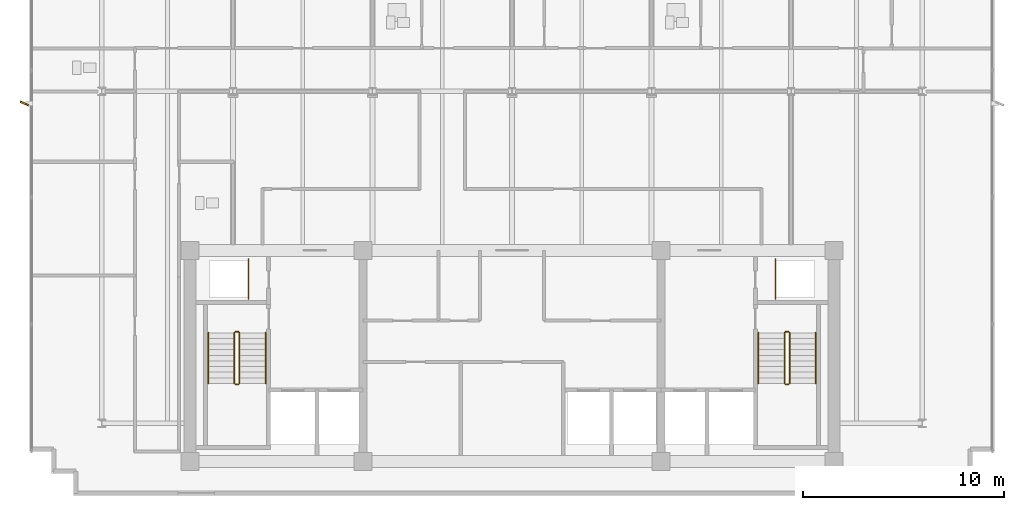
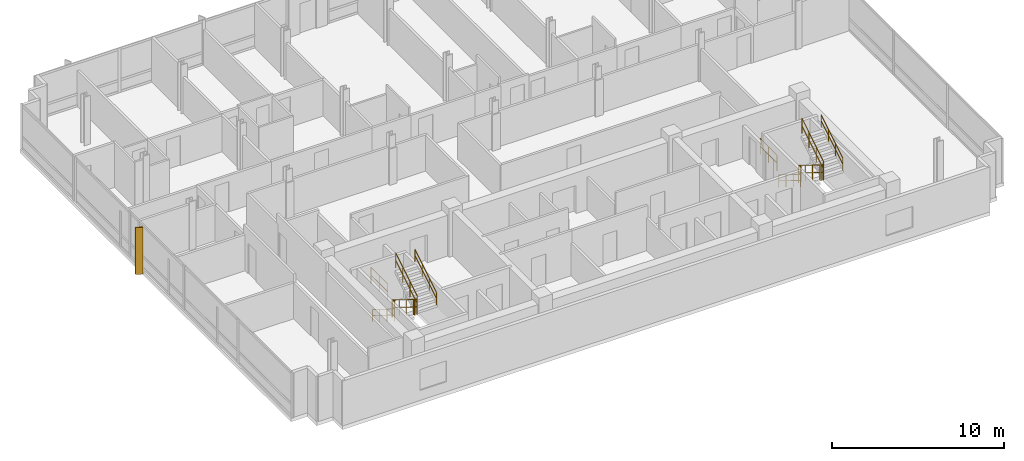
# One storey, part 12 of 14: 14 railings, 1 shading device.
"""IFC4 building model written with IfcOpenShell, lengths in metres."""

from ifc_helpers import new_model, si_unit, direction, frame, origin, origin_2d, place, context, subcontext, project, spatial, rectangle, circle, extrude, material, layer, layer_set, type_object, element, save


model = new_model("IFC4")

# Units and contexts
model_context = context("Model", 3, precision=1e-05, world=origin(), true_north=direction((0.0, 1.0)))
body_context = subcontext(model_context, "Body", "Model", "MODEL_VIEW")
ifc_project = project(units=[si_unit("LENGTHUNIT", "METRE"), si_unit("AREAUNIT", "SQUARE_METRE"), si_unit("VOLUMEUNIT", "CUBIC_METRE"), si_unit("PLANEANGLEUNIT", "RADIAN"), si_unit("MASSUNIT", "GRAM", prefix="KILO")], contexts=[model_context])

# Site, building, storey
site_placement = place(None, origin())
site = spatial("IfcSite", under=ifc_project, at=site_placement, CompositionType="ELEMENT")
building_placement = place(site_placement, origin())
building = spatial("IfcBuilding", under=site, at=building_placement, Name="Solmavex Isthmus Hotel", CompositionType="ELEMENT")
storey_placement = place(building_placement, frame((0.0, 0.0, 255.75)))
storey = spatial("IfcBuildingStorey", under=building, at=storey_placement, Name="L69", CompositionType="ELEMENT", Elevation=255.75)

# Railings
ifc_material_1 = material(Name="Clear low-E laminated glass", Category="glass")
ifc_layer_1 = layer(ifc_material_1, 0.080078125)
ifc_layer_set_1 = layer_set([ifc_layer_1], Name="Clear low-E laminated glass")
railing_type_1 = type_object("IfcRailingType", Name="RAIL-ATRIUM-1120", PredefinedType="BALUSTRADE", material=ifc_layer_set_1)
for number, where, name in (
    (1, (-13.10009765625, -4.89990234375, 0.0), "Guardrail Balustrade L69-RSW-01"),
    (2, (13.10009765625, -4.89990234375, 0.0), "Guardrail Balustrade L69-RSE-01"),
):
    element("IfcRailing", number, at=place(storey_placement, frame(where)), inside=storey, type_object=railing_type_1, Name=name, PredefinedType="BALUSTRADE", context=body_context, shape_type="SweptSolid", body=[
        extrude(circle(Radius=0.02392578125, at=origin_2d()), frame((0.0, 0.0, 1.1259765625), z_axis=(0.0, 1.0, 0.0), x_axis=(-1.0, 0.0, 0.0)), (0.0, 0.0, 1.0), 1.949951171875),
        extrude(circle(Radius=0.02392578125, at=origin_2d()), frame((0.0, 0.0, 0.574951171875), z_axis=(0.0, 1.0, 0.0), x_axis=(-1.0, 0.0, 0.0)), (0.0, 0.0, 1.0), 1.949951171875),
        extrude(circle(Radius=0.02099609375, at=origin_2d()), origin(), (0.0, 0.0, 1.0), 1.101806640625),
        extrude(circle(Radius=0.02099609375, at=origin_2d()), frame((0.0, 0.97509765625, 0.0)), (0.0, 0.0, 1.0), 1.101806640625),
        extrude(circle(Radius=0.02099609375, at=origin_2d()), frame((0.0, 1.949951171875, 0.0)), (0.0, 0.0, 1.0), 1.101806640625),
    ])
ifc_material_2 = material(Name="Stainless steel 316", Category="steel")
ifc_layer_2 = layer(ifc_material_2, 0.06005859375)
ifc_layer_set_2 = layer_set([ifc_layer_2], Name="Stainless steel 316")
railing_type_2 = type_object("IfcRailingType", Name="RAIL-STAIR-GD", PredefinedType="GUARDRAIL", material=ifc_layer_set_2)
railing_1_placement = place(storey_placement, frame((-13.800048828125, -6.60009765625, 0.172607421875)))
element("IfcRailing", 3, at=railing_1_placement, inside=storey, type_object=railing_type_2, Name="L69 ST-1 stair guard 1", PredefinedType="GUARDRAIL", context=body_context, shape_type="SweptSolid", body=[
    extrude(circle(Radius=0.02392578125, at=origin_2d()), frame((0.0, 0.0, 1.09619140625), z_axis=(0.0, -0.851400495292, 0.524516154772), x_axis=(1.0, 0.0, 0.0)), (0.0, 0.0, 1.0), 2.9599609375),
    extrude(circle(Radius=0.02392578125, at=origin_2d()), frame((0.0, 0.0, 0.56005859375), z_axis=(0.0, -0.851400495292, 0.524516154772), x_axis=(1.0, 0.0, 0.0)), (0.0, 0.0, 1.0), 2.9599609375),
    extrude(circle(Radius=0.02099609375, at=origin_2d()), origin(), (0.0, 0.0, 1.0), 1.072021484375),
    extrude(circle(Radius=0.02099609375, at=origin_2d()), frame((0.0, -0.840087890625, 0.517578125)), (0.0, 0.0, 1.0), 1.072021484375),
    extrude(circle(Radius=0.02099609375, at=origin_2d()), frame((0.0, -1.679931640625, 1.034912109375)), (0.0, 0.0, 1.0), 1.072021484375),
    extrude(circle(Radius=0.02099609375, at=origin_2d()), frame((0.0, -2.52001953125, 1.552490234375)), (0.0, 0.0, 1.0), 1.072021484375),
])
railing_2_placement = place(storey_placement, frame((-13.75, -9.169921875, 1.72509765625)))
element("IfcRailing", 4, at=railing_2_placement, inside=storey, type_object=railing_type_2, Name="L69 ST-1 stair guard 2", PredefinedType="GUARDRAIL", context=body_context, shape_type="SweptSolid", body=[
    extrude(circle(Radius=0.02392578125, at=origin_2d()), frame((0.0, 0.0, 1.09619140625), z_axis=(1.0, 0.0, 0.0), x_axis=(0.0, 1.0, 0.0)), (0.0, 0.0, 1.0), 0.14990234375),
    extrude(circle(Radius=0.02392578125, at=origin_2d()), frame((0.0, 0.0, 0.56005859375), z_axis=(1.0, 0.0, 0.0), x_axis=(0.0, 1.0, 0.0)), (0.0, 0.0, 1.0), 0.14990234375),
    extrude(circle(Radius=0.02099609375, at=origin_2d()), origin(), (0.0, 0.0, 1.0), 1.072021484375),
    extrude(circle(Radius=0.02099609375, at=origin_2d()), frame((0.14990234375, 0.0, 0.0)), (0.0, 0.0, 1.0), 1.072021484375),
])
railing_3_placement = place(storey_placement, frame((-13.550048828125, -9.1201171875, 1.8974609375)))
element("IfcRailing", 5, at=railing_3_placement, inside=storey, type_object=railing_type_2, Name="L69 ST-1 stair guard 3", PredefinedType="GUARDRAIL", context=body_context, shape_type="SweptSolid", body=[
    extrude(circle(Radius=0.02392578125, at=origin_2d()), frame((0.0, 0.0, 1.09619140625), z_axis=(0.0, 0.851400495292, 0.524516154772), x_axis=(-1.0, 0.0, 0.0)), (0.0, 0.0, 1.0), 2.9599609375),
    extrude(circle(Radius=0.02392578125, at=origin_2d()), frame((0.0, 0.0, 0.56005859375), z_axis=(0.0, 0.851400495292, 0.524516154772), x_axis=(-1.0, 0.0, 0.0)), (0.0, 0.0, 1.0), 2.9599609375),
    extrude(circle(Radius=0.02099609375, at=origin_2d()), origin(), (0.0, 0.0, 1.0), 1.072021484375),
    extrude(circle(Radius=0.02099609375, at=origin_2d()), frame((0.0, 0.840087890625, 0.517578125)), (0.0, 0.0, 1.0), 1.072021484375),
    extrude(circle(Radius=0.02099609375, at=origin_2d()), frame((0.0, 1.679931640625, 1.034912109375)), (0.0, 0.0, 1.0), 1.072021484375),
    extrude(circle(Radius=0.02099609375, at=origin_2d()), frame((0.0, 2.52001953125, 1.552490234375)), (0.0, 0.0, 1.0), 1.072021484375),
])
railing_4_placement = place(storey_placement, frame((-13.75, -6.550048828125, 0.0)))
element("IfcRailing", 6, at=railing_4_placement, inside=storey, type_object=railing_type_2, Name="L69 ST-1 stair guard 4", PredefinedType="GUARDRAIL", context=body_context, shape_type="SweptSolid", body=[
    extrude(circle(Radius=0.02392578125, at=origin_2d()), frame((0.0, 0.0, 1.09619140625), z_axis=(1.0, 0.0, 0.0), x_axis=(0.0, 1.0, 0.0)), (0.0, 0.0, 1.0), 0.14990234375),
    extrude(circle(Radius=0.02392578125, at=origin_2d()), frame((0.0, 0.0, 0.56005859375), z_axis=(1.0, 0.0, 0.0), x_axis=(0.0, 1.0, 0.0)), (0.0, 0.0, 1.0), 0.14990234375),
    extrude(circle(Radius=0.02099609375, at=origin_2d()), origin(), (0.0, 0.0, 1.0), 1.072021484375),
    extrude(circle(Radius=0.02099609375, at=origin_2d()), frame((0.14990234375, 0.0, 0.0)), (0.0, 0.0, 1.0), 1.072021484375),
])
railing_5_placement = place(storey_placement, frame((13.550048828125, -6.60009765625, 0.172607421875)))
element("IfcRailing", 7, at=railing_5_placement, inside=storey, type_object=railing_type_2, Name="L69 ST-2 stair guard 1", PredefinedType="GUARDRAIL", context=body_context, shape_type="SweptSolid", body=[
    extrude(circle(Radius=0.02392578125, at=origin_2d()), frame((0.0, 0.0, 1.09619140625), z_axis=(0.0, -0.851400495292, 0.524516154772), x_axis=(1.0, 0.0, 0.0)), (0.0, 0.0, 1.0), 2.9599609375),
    extrude(circle(Radius=0.02392578125, at=origin_2d()), frame((0.0, 0.0, 0.56005859375), z_axis=(0.0, -0.851400495292, 0.524516154772), x_axis=(1.0, 0.0, 0.0)), (0.0, 0.0, 1.0), 2.9599609375),
    extrude(circle(Radius=0.02099609375, at=origin_2d()), origin(), (0.0, 0.0, 1.0), 1.072021484375),
    extrude(circle(Radius=0.02099609375, at=origin_2d()), frame((0.0, -0.840087890625, 0.517578125)), (0.0, 0.0, 1.0), 1.072021484375),
    extrude(circle(Radius=0.02099609375, at=origin_2d()), frame((0.0, -1.679931640625, 1.034912109375)), (0.0, 0.0, 1.0), 1.072021484375),
    extrude(circle(Radius=0.02099609375, at=origin_2d()), frame((0.0, -2.52001953125, 1.552490234375)), (0.0, 0.0, 1.0), 1.072021484375),
])
railing_6_placement = place(storey_placement, frame((13.60009765625, -9.169921875, 1.72509765625)))
element("IfcRailing", 8, at=railing_6_placement, inside=storey, type_object=railing_type_2, Name="L69 ST-2 stair guard 2", PredefinedType="GUARDRAIL", context=body_context, shape_type="SweptSolid", body=[
    extrude(circle(Radius=0.02392578125, at=origin_2d()), frame((0.0, 0.0, 1.09619140625), z_axis=(1.0, 0.0, 0.0), x_axis=(0.0, 1.0, 0.0)), (0.0, 0.0, 1.0), 0.14990234375),
    extrude(circle(Radius=0.02392578125, at=origin_2d()), frame((0.0, 0.0, 0.56005859375), z_axis=(1.0, 0.0, 0.0), x_axis=(0.0, 1.0, 0.0)), (0.0, 0.0, 1.0), 0.14990234375),
    extrude(circle(Radius=0.02099609375, at=origin_2d()), origin(), (0.0, 0.0, 1.0), 1.072021484375),
    extrude(circle(Radius=0.02099609375, at=origin_2d()), frame((0.14990234375, 0.0, 0.0)), (0.0, 0.0, 1.0), 1.072021484375),
])
railing_7_placement = place(storey_placement, frame((13.800048828125, -9.1201171875, 1.8974609375)))
element("IfcRailing", 9, at=railing_7_placement, inside=storey, type_object=railing_type_2, Name="L69 ST-2 stair guard 3", PredefinedType="GUARDRAIL", context=body_context, shape_type="SweptSolid", body=[
    extrude(circle(Radius=0.02392578125, at=origin_2d()), frame((0.0, 0.0, 1.09619140625), z_axis=(0.0, 0.851400495292, 0.524516154772), x_axis=(-1.0, 0.0, 0.0)), (0.0, 0.0, 1.0), 2.9599609375),
    extrude(circle(Radius=0.02392578125, at=origin_2d()), frame((0.0, 0.0, 0.56005859375), z_axis=(0.0, 0.851400495292, 0.524516154772), x_axis=(-1.0, 0.0, 0.0)), (0.0, 0.0, 1.0), 2.9599609375),
    extrude(circle(Radius=0.02099609375, at=origin_2d()), origin(), (0.0, 0.0, 1.0), 1.072021484375),
    extrude(circle(Radius=0.02099609375, at=origin_2d()), frame((0.0, 0.840087890625, 0.517578125)), (0.0, 0.0, 1.0), 1.072021484375),
    extrude(circle(Radius=0.02099609375, at=origin_2d()), frame((0.0, 1.679931640625, 1.034912109375)), (0.0, 0.0, 1.0), 1.072021484375),
    extrude(circle(Radius=0.02099609375, at=origin_2d()), frame((0.0, 2.52001953125, 1.552490234375)), (0.0, 0.0, 1.0), 1.072021484375),
])
railing_8_placement = place(storey_placement, frame((13.60009765625, -6.550048828125, 0.0)))
element("IfcRailing", 10, at=railing_8_placement, inside=storey, type_object=railing_type_2, Name="L69 ST-2 stair guard 4", PredefinedType="GUARDRAIL", context=body_context, shape_type="SweptSolid", body=[
    extrude(circle(Radius=0.02392578125, at=origin_2d()), frame((0.0, 0.0, 1.09619140625), z_axis=(1.0, 0.0, 0.0), x_axis=(0.0, 1.0, 0.0)), (0.0, 0.0, 1.0), 0.14990234375),
    extrude(circle(Radius=0.02392578125, at=origin_2d()), frame((0.0, 0.0, 0.56005859375), z_axis=(1.0, 0.0, 0.0), x_axis=(0.0, 1.0, 0.0)), (0.0, 0.0, 1.0), 0.14990234375),
    extrude(circle(Radius=0.02099609375, at=origin_2d()), origin(), (0.0, 0.0, 1.0), 1.072021484375),
    extrude(circle(Radius=0.02099609375, at=origin_2d()), frame((0.14990234375, 0.0, 0.0)), (0.0, 0.0, 1.0), 1.072021484375),
])
ifc_layer_3 = layer(ifc_material_2, 0.050048828125)
ifc_layer_set_3 = layer_set([ifc_layer_3], Name="Stainless steel 316")
railing_type_3 = type_object("IfcRailingType", Name="RAIL-STAIR-HR", PredefinedType="HANDRAIL", material=ifc_layer_set_3)
railing_9_placement = place(storey_placement, frame((-15.10009765625, -6.60009765625, 0.172607421875)))
element("IfcRailing", 11, at=railing_9_placement, inside=storey, type_object=railing_type_3, Name="L69 ST-1 stair handrail 1", PredefinedType="HANDRAIL", context=body_context, shape_type="SweptSolid", body=[
    extrude(circle(Radius=0.02392578125, at=origin_2d()), frame((0.0, 0.0, 0.8759765625), z_axis=(0.0, -0.851400495292, 0.524516154772), x_axis=(1.0, 0.0, 0.0)), (0.0, 0.0, 1.0), 2.9599609375),
    extrude(circle(Radius=0.02392578125, at=origin_2d()), frame((0.0, 0.0, 0.449951171875), z_axis=(0.0, -0.851400495292, 0.524516154772), x_axis=(1.0, 0.0, 0.0)), (0.0, 0.0, 1.0), 2.9599609375),
    extrude(circle(Radius=0.02099609375, at=origin_2d()), origin(), (0.0, 0.0, 1.0), 0.851806640625),
    extrude(circle(Radius=0.02099609375, at=origin_2d()), frame((0.0, -0.840087890625, 0.517578125)), (0.0, 0.0, 1.0), 0.851806640625),
    extrude(circle(Radius=0.02099609375, at=origin_2d()), frame((0.0, -1.679931640625, 1.034912109375)), (0.0, 0.0, 1.0), 0.851806640625),
    extrude(circle(Radius=0.02099609375, at=origin_2d()), frame((0.0, -2.52001953125, 1.552490234375)), (0.0, 0.0, 1.0), 0.851806640625),
])
railing_10_placement = place(storey_placement, frame((-12.25, -9.1201171875, 1.8974609375)))
element("IfcRailing", 12, at=railing_10_placement, inside=storey, type_object=railing_type_3, Name="L69 ST-1 stair handrail 2", PredefinedType="HANDRAIL", context=body_context, shape_type="SweptSolid", body=[
    extrude(circle(Radius=0.02392578125, at=origin_2d()), frame((0.0, 0.0, 0.8759765625), z_axis=(0.0, 0.851400495292, 0.524516154772), x_axis=(-1.0, 0.0, 0.0)), (0.0, 0.0, 1.0), 2.9599609375),
    extrude(circle(Radius=0.02392578125, at=origin_2d()), frame((0.0, 0.0, 0.449951171875), z_axis=(0.0, 0.851400495292, 0.524516154772), x_axis=(-1.0, 0.0, 0.0)), (0.0, 0.0, 1.0), 2.9599609375),
    extrude(circle(Radius=0.02099609375, at=origin_2d()), origin(), (0.0, 0.0, 1.0), 0.851806640625),
    extrude(circle(Radius=0.02099609375, at=origin_2d()), frame((0.0, 0.840087890625, 0.517578125)), (0.0, 0.0, 1.0), 0.851806640625),
    extrude(circle(Radius=0.02099609375, at=origin_2d()), frame((0.0, 1.679931640625, 1.034912109375)), (0.0, 0.0, 1.0), 0.851806640625),
    extrude(circle(Radius=0.02099609375, at=origin_2d()), frame((0.0, 2.52001953125, 1.552490234375)), (0.0, 0.0, 1.0), 0.851806640625),
])
railing_11_placement = place(storey_placement, frame((12.25, -6.60009765625, 0.172607421875)))
element("IfcRailing", 13, at=railing_11_placement, inside=storey, type_object=railing_type_3, Name="L69 ST-2 stair handrail 1", PredefinedType="HANDRAIL", context=body_context, shape_type="SweptSolid", body=[
    extrude(circle(Radius=0.02392578125, at=origin_2d()), frame((0.0, 0.0, 0.8759765625), z_axis=(0.0, -0.851400495292, 0.524516154772), x_axis=(1.0, 0.0, 0.0)), (0.0, 0.0, 1.0), 2.9599609375),
    extrude(circle(Radius=0.02392578125, at=origin_2d()), frame((0.0, 0.0, 0.449951171875), z_axis=(0.0, -0.851400495292, 0.524516154772), x_axis=(1.0, 0.0, 0.0)), (0.0, 0.0, 1.0), 2.9599609375),
    extrude(circle(Radius=0.02099609375, at=origin_2d()), origin(), (0.0, 0.0, 1.0), 0.851806640625),
    extrude(circle(Radius=0.02099609375, at=origin_2d()), frame((0.0, -0.840087890625, 0.517578125)), (0.0, 0.0, 1.0), 0.851806640625),
    extrude(circle(Radius=0.02099609375, at=origin_2d()), frame((0.0, -1.679931640625, 1.034912109375)), (0.0, 0.0, 1.0), 0.851806640625),
    extrude(circle(Radius=0.02099609375, at=origin_2d()), frame((0.0, -2.52001953125, 1.552490234375)), (0.0, 0.0, 1.0), 0.851806640625),
])
railing_12_placement = place(storey_placement, frame((15.10009765625, -9.1201171875, 1.8974609375)))
element("IfcRailing", 14, at=railing_12_placement, inside=storey, type_object=railing_type_3, Name="L69 ST-2 stair handrail 2", PredefinedType="HANDRAIL", context=body_context, shape_type="SweptSolid", body=[
    extrude(circle(Radius=0.02392578125, at=origin_2d()), frame((0.0, 0.0, 0.8759765625), z_axis=(0.0, 0.851400495292, 0.524516154772), x_axis=(-1.0, 0.0, 0.0)), (0.0, 0.0, 1.0), 2.9599609375),
    extrude(circle(Radius=0.02392578125, at=origin_2d()), frame((0.0, 0.0, 0.449951171875), z_axis=(0.0, 0.851400495292, 0.524516154772), x_axis=(-1.0, 0.0, 0.0)), (0.0, 0.0, 1.0), 2.9599609375),
    extrude(circle(Radius=0.02099609375, at=origin_2d()), origin(), (0.0, 0.0, 1.0), 0.851806640625),
    extrude(circle(Radius=0.02099609375, at=origin_2d()), frame((0.0, 0.840087890625, 0.517578125)), (0.0, 0.0, 1.0), 0.851806640625),
    extrude(circle(Radius=0.02099609375, at=origin_2d()), frame((0.0, 1.679931640625, 1.034912109375)), (0.0, 0.0, 1.0), 0.851806640625),
    extrude(circle(Radius=0.02099609375, at=origin_2d()), frame((0.0, 2.52001953125, 1.552490234375)), (0.0, 0.0, 1.0), 0.851806640625),
])

# Shading device
ifc_material_3 = material(Name="Aluminium alloy 6063-T6", Category="aluminium")
shading_device_type = type_object("IfcShadingDeviceType", Name="SHD-FIN-BRONZE", PredefinedType="USERDEFINED", material=ifc_material_3)
shading_device_placement = place(storey_placement, frame((-24.239990234375, 4.800048828125, -0.14013671875), z_axis=(0.0, 0.0, 1.0), x_axis=(-0.913545457643, 0.406736643076, 0.0)))
element("IfcShadingDevice", 15, at=shading_device_placement, inside=storey, type_object=shading_device_type, Name="Anodised Aluminium Solar Fin L69-W1", ObjectType="SOLAR_FIN", PredefinedType="USERDEFINED", context=body_context, shape_type="SweptSolid", body=[
    extrude(rectangle(XDim=0.449951171875, YDim=0.080078125, at=origin_2d()), origin(), (0.0, 0.0, 1.0), 3.330078125),
])

save(model, "model.ifc")
